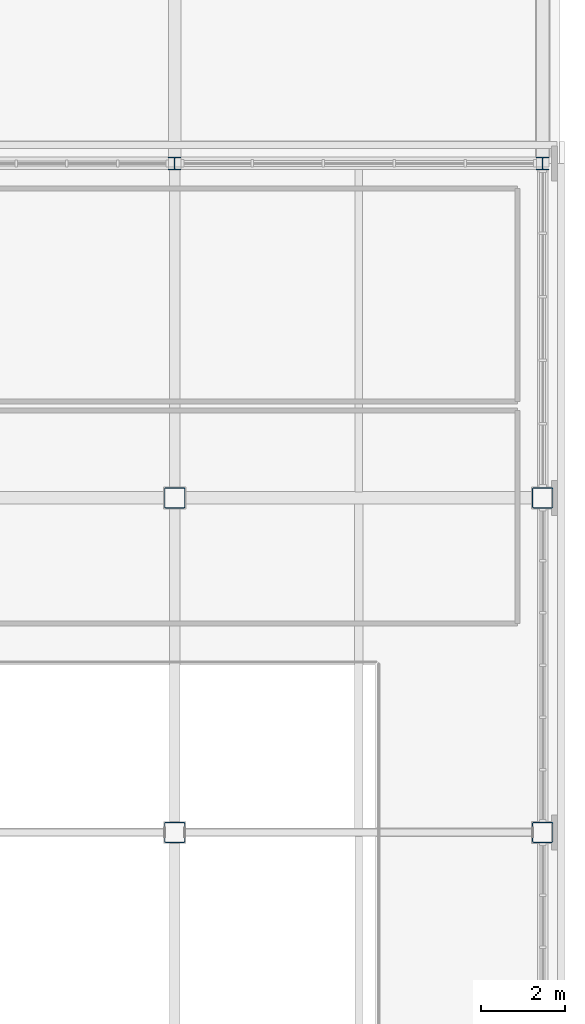
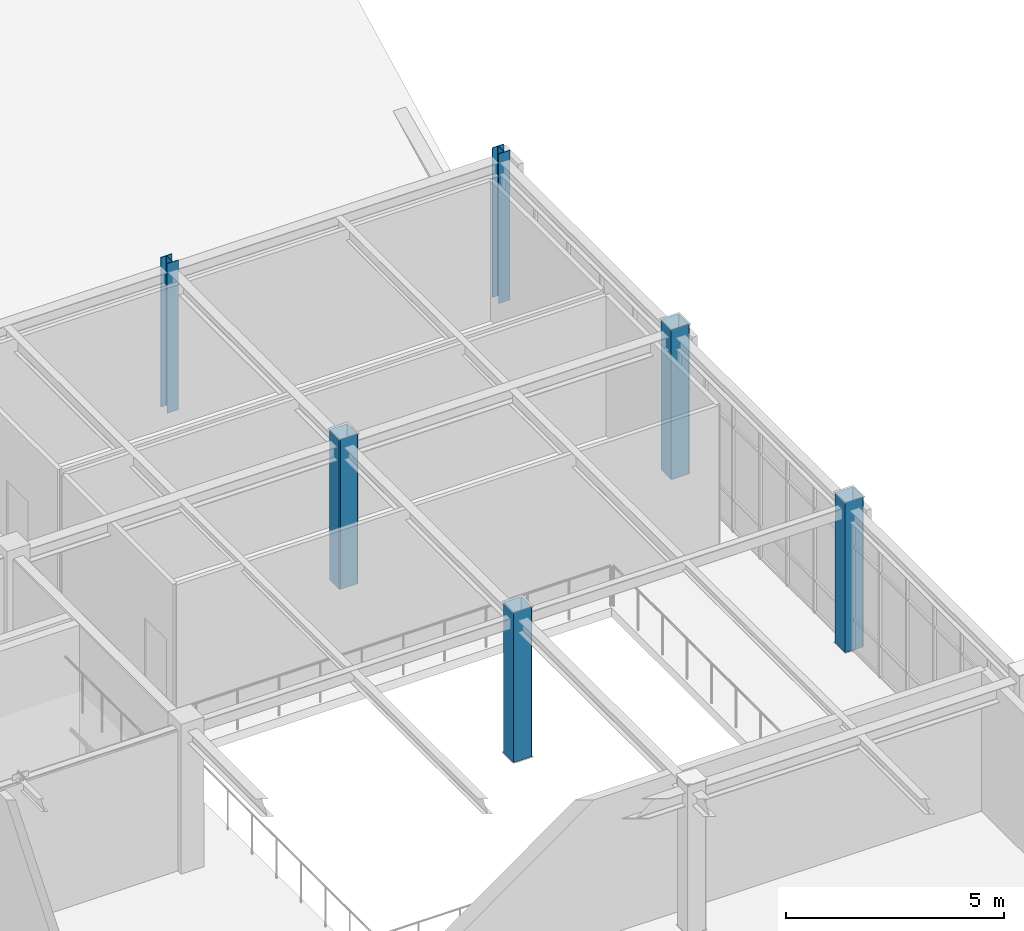
# One storey, part 3 of 45: 6 columns.
"""IFC4 building model written with IfcOpenShell, lengths in metres."""

from ifc_helpers import new_model, si_unit, direction, frame, origin, origin_2d, place, context, subcontext, project, spatial, hollow_rectangle, i_section, extrude, material, material_profile, profile_set, type_object, element, save


model = new_model("IFC4")

# Units and contexts
model_context = context("Model", 3, precision=1e-05, world=origin(), true_north=direction((0.0, 1.0)))
body_context = subcontext(model_context, "Body", "Model", "MODEL_VIEW")
ifc_project = project(units=[si_unit("LENGTHUNIT", "METRE"), si_unit("AREAUNIT", "SQUARE_METRE"), si_unit("VOLUMEUNIT", "CUBIC_METRE"), si_unit("PLANEANGLEUNIT", "RADIAN"), si_unit("MASSUNIT", "GRAM", prefix="KILO")], contexts=[model_context])

# Site, building, storey
site_placement = place(None, origin())
site = spatial("IfcSite", under=ifc_project, at=site_placement, CompositionType="ELEMENT")
building_placement = place(site_placement, origin())
building = spatial("IfcBuilding", under=site, at=building_placement, Name="Zhaolan Boulevard Law Courts", CompositionType="ELEMENT")
storey_placement = place(building_placement, frame((0.0, 0.0, 24.60009765625)))
storey = spatial("IfcBuildingStorey", under=building, at=storey_placement, Name="L05", CompositionType="ELEMENT", Elevation=24.60009765625)

# Columns
ifc_material_1 = material(Name="Structural steel Q355B", Category="steel")
ifc_material_profile_1 = material_profile(ifc_material_1, hollow_rectangle(XDim=0.5, YDim=0.5, WallThickness=0.02001953125, InnerFilletRadius=0.02001953125, OuterFilletRadius=0.0400390625, at=origin_2d()), Name="BOX500x500x20")
ifc_profile_set_1 = profile_set([ifc_material_profile_1], Name="Structural steel Q355B")
column_type_1 = type_object("IfcColumnType", Name="COL BOX500", PredefinedType="COLUMN", material=ifc_profile_set_1)
for number, where, z_axis, x_axis, name in (
    (1, (35.199951171875, 62.0, 0.0), (0.0, 0.0, 1.0), (1.0, 0.0, 0.0), "Column C-5J (L05)"),
    (2, (35.199951171875, 70.0, 0.0), (0.0, 0.0, 1.0), (1.0, 0.0, 0.0), "Column C-5K (L05)"),
    (3, (44.0, 62.0, 0.0), (0.0, 0.0, 1.0), (1.0, 0.0, 0.0), "Column C-6J (L05)"),
    (4, (44.0, 70.0, 0.0), (0.0, 0.0, 1.0), (1.0, 0.0, 0.0), "Column C-6K (L05)"),
):
    element("IfcColumn", number, at=place(storey_placement, frame(where, z_axis=z_axis, x_axis=x_axis)), inside=storey, type_object=column_type_1, Name=name, PredefinedType="COLUMN", context=body_context, shape_type="SweptSolid", body=[
        extrude(hollow_rectangle(XDim=0.5, YDim=0.5, WallThickness=0.02001953125, InnerFilletRadius=0.02001953125, OuterFilletRadius=0.0400390625, at=origin_2d()), origin(), (0.0, 0.0, 1.0), 4.199951171875),
    ])
ifc_material_2 = material(Name="Structural steel Q355B", Category="steel")
ifc_material_profile_2 = material_profile(ifc_material_2, i_section(OverallWidth=0.300048828125, OverallDepth=0.300048828125, WebThickness=0.010009765625, FlangeThickness=0.014892578125, FilletRadius=0.01806640625, at=origin_2d()), Name="HW300x300")
ifc_profile_set_2 = profile_set([ifc_material_profile_2], Name="Structural steel Q355B")
column_type_2 = type_object("IfcColumnType", Name="COL HW300", PredefinedType="COLUMN", material=ifc_profile_set_2)
for number, where, z_axis, x_axis, name in (
    (5, (35.199951171875, 78.0, 0.0), (0.0, 0.0, 1.0), (1.0, 0.0, 0.0), "Column C-5L (L05)"),
    (6, (44.0, 78.0, 0.0), (0.0, 0.0, 1.0), (1.0, 0.0, 0.0), "Column C-6L (L05)"),
):
    element("IfcColumn", number, at=place(storey_placement, frame(where, z_axis=z_axis, x_axis=x_axis)), inside=storey, type_object=column_type_2, Name=name, PredefinedType="COLUMN", context=body_context, shape_type="SweptSolid", body=[
        extrude(i_section(OverallWidth=0.300048828125, OverallDepth=0.300048828125, WebThickness=0.010009765625, FlangeThickness=0.014892578125, FilletRadius=0.01806640625, at=origin_2d()), origin(), (0.0, 0.0, 1.0), 4.199951171875),
    ])

save(model, "model.ifc")
